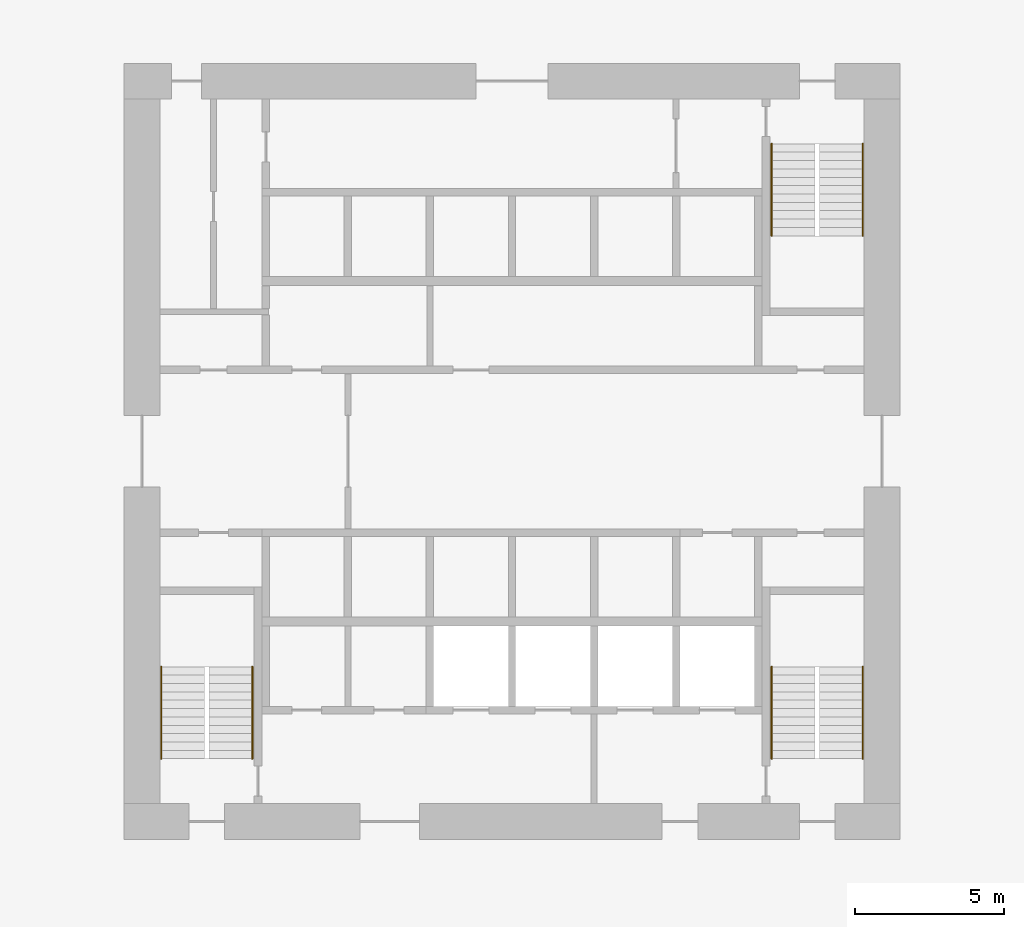
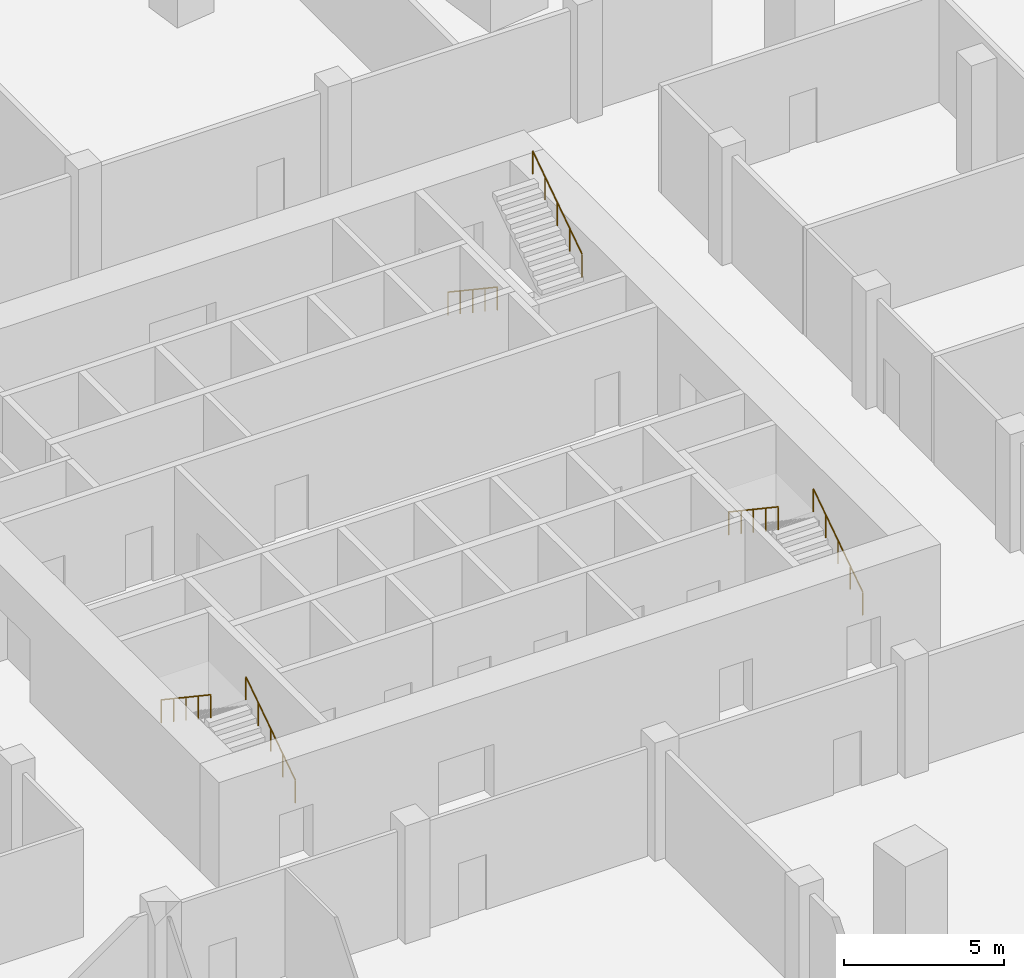
# One storey, part 8 of 11: 6 railings.
"""IFC4 building model written with IfcOpenShell, lengths in metres."""

from ifc_helpers import new_model, si_unit, direction, frame, origin, origin_2d, place, context, subcontext, project, spatial, circle, extrude, material, type_object, element, save


model = new_model("IFC4")

# Units and contexts
model_context = context("Model", 3, precision=1e-05, world=origin(), true_north=direction((0.0, 1.0)))
body_context = subcontext(model_context, "Body", "Model", "MODEL_VIEW")
ifc_project = project(units=[si_unit("LENGTHUNIT", "METRE"), si_unit("AREAUNIT", "SQUARE_METRE"), si_unit("VOLUMEUNIT", "CUBIC_METRE"), si_unit("PLANEANGLEUNIT", "RADIAN"), si_unit("MASSUNIT", "GRAM", prefix="KILO")], contexts=[model_context])

# Site, building, storey
site_placement = place(None, origin())
site = spatial("IfcSite", under=ifc_project, at=site_placement, CompositionType="ELEMENT")
building_placement = place(site_placement, origin())
building = spatial("IfcBuilding", under=site, at=building_placement, Name="Dilmun Exchange Tower", CompositionType="ELEMENT")
storey_placement = place(building_placement, frame((0.0, 0.0, -4.5)))
storey = spatial("IfcBuildingStorey", under=building, at=storey_placement, Name="B1", CompositionType="ELEMENT", Elevation=-4.5)

# Railings
ifc_material = material(Name="Stainless steel", Category="steel")
railing_type = type_object("IfcRailingType", Name="Stair handrail 900", PredefinedType="HANDRAIL", material=ifc_material)
railing_1_placement = place(storey_placement, frame((8.699951171875, 10.300048828125, 0.1875)))
element("IfcRailing", 1, at=railing_1_placement, inside=storey, type_object=railing_type, Name="B1 ST1 stair handrail 1", PredefinedType="HANDRAIL", context=body_context, shape_type="SweptSolid", body=[
    extrude(circle(Radius=0.02392578125, at=origin_2d()), frame((0.0, 0.0, 0.8759765625), z_axis=(0.0, -0.830913701846, 0.55640131208), x_axis=(1.0, 0.0, 0.0)), (0.0, 0.0, 1.0), 3.706787109375),
    extrude(circle(Radius=0.02099609375, at=origin_2d()), origin(), (0.0, 0.0, 1.0), 0.851806640625),
    extrude(circle(Radius=0.02099609375, at=origin_2d()), frame((0.0, -0.77001953125, 0.515625)), (0.0, 0.0, 1.0), 0.851806640625),
    extrude(circle(Radius=0.02099609375, at=origin_2d()), frame((0.0, -1.5400390625, 1.03125)), (0.0, 0.0, 1.0), 0.851806640625),
    extrude(circle(Radius=0.02099609375, at=origin_2d()), frame((0.0, -2.31005859375, 1.546875)), (0.0, 0.0, 1.0), 0.851806640625),
    extrude(circle(Radius=0.02099609375, at=origin_2d()), frame((0.0, -3.080078125, 2.0625)), (0.0, 0.0, 1.0), 0.851806640625),
])
for number, where, name in (
    (2, (11.75, 7.219970703125, 2.4375), "B1 ST1 stair handrail 2"),
    (3, (-8.699951171875, -10.300048828125, 0.1875), "B1 ST2 stair handrail 1"),
):
    element("IfcRailing", number, at=place(storey_placement, frame(where)), inside=storey, type_object=railing_type, Name=name, PredefinedType="HANDRAIL", context=body_context, shape_type="SweptSolid", body=[
        extrude(circle(Radius=0.02392578125, at=origin_2d()), frame((0.0, 0.0, 0.8759765625), z_axis=(0.0, 0.830913701846, 0.55640131208), x_axis=(-1.0, 0.0, 0.0)), (0.0, 0.0, 1.0), 3.706787109375),
        extrude(circle(Radius=0.02099609375, at=origin_2d()), origin(), (0.0, 0.0, 1.0), 0.851806640625),
        extrude(circle(Radius=0.02099609375, at=origin_2d()), frame((0.0, 0.77001953125, 0.515625)), (0.0, 0.0, 1.0), 0.851806640625),
        extrude(circle(Radius=0.02099609375, at=origin_2d()), frame((0.0, 1.5400390625, 1.03125)), (0.0, 0.0, 1.0), 0.851806640625),
        extrude(circle(Radius=0.02099609375, at=origin_2d()), frame((0.0, 2.31005859375, 1.546875)), (0.0, 0.0, 1.0), 0.851806640625),
        extrude(circle(Radius=0.02099609375, at=origin_2d()), frame((0.0, 3.080078125, 2.0625)), (0.0, 0.0, 1.0), 0.851806640625),
    ])
railing_2_placement = place(storey_placement, frame((-11.75, -7.219970703125, 2.4375)))
element("IfcRailing", 4, at=railing_2_placement, inside=storey, type_object=railing_type, Name="B1 ST2 stair handrail 2", PredefinedType="HANDRAIL", context=body_context, shape_type="SweptSolid", body=[
    extrude(circle(Radius=0.02392578125, at=origin_2d()), frame((0.0, 0.0, 0.8759765625), z_axis=(0.0, -0.830913701846, 0.55640131208), x_axis=(1.0, 0.0, 0.0)), (0.0, 0.0, 1.0), 3.706787109375),
    extrude(circle(Radius=0.02099609375, at=origin_2d()), origin(), (0.0, 0.0, 1.0), 0.851806640625),
    extrude(circle(Radius=0.02099609375, at=origin_2d()), frame((0.0, -0.77001953125, 0.515625)), (0.0, 0.0, 1.0), 0.851806640625),
    extrude(circle(Radius=0.02099609375, at=origin_2d()), frame((0.0, -1.5400390625, 1.03125)), (0.0, 0.0, 1.0), 0.851806640625),
    extrude(circle(Radius=0.02099609375, at=origin_2d()), frame((0.0, -2.31005859375, 1.546875)), (0.0, 0.0, 1.0), 0.851806640625),
    extrude(circle(Radius=0.02099609375, at=origin_2d()), frame((0.0, -3.080078125, 2.0625)), (0.0, 0.0, 1.0), 0.851806640625),
])
railing_3_placement = place(storey_placement, frame((11.75, -10.300048828125, 0.1875)))
element("IfcRailing", 5, at=railing_3_placement, inside=storey, type_object=railing_type, Name="B1 ST3 stair handrail 1", PredefinedType="HANDRAIL", context=body_context, shape_type="SweptSolid", body=[
    extrude(circle(Radius=0.02392578125, at=origin_2d()), frame((0.0, 0.0, 0.8759765625), z_axis=(0.0, 0.830913701846, 0.55640131208), x_axis=(-1.0, 0.0, 0.0)), (0.0, 0.0, 1.0), 3.706787109375),
    extrude(circle(Radius=0.02099609375, at=origin_2d()), origin(), (0.0, 0.0, 1.0), 0.851806640625),
    extrude(circle(Radius=0.02099609375, at=origin_2d()), frame((0.0, 0.77001953125, 0.515625)), (0.0, 0.0, 1.0), 0.851806640625),
    extrude(circle(Radius=0.02099609375, at=origin_2d()), frame((0.0, 1.5400390625, 1.03125)), (0.0, 0.0, 1.0), 0.851806640625),
    extrude(circle(Radius=0.02099609375, at=origin_2d()), frame((0.0, 2.31005859375, 1.546875)), (0.0, 0.0, 1.0), 0.851806640625),
    extrude(circle(Radius=0.02099609375, at=origin_2d()), frame((0.0, 3.080078125, 2.0625)), (0.0, 0.0, 1.0), 0.851806640625),
])
railing_4_placement = place(storey_placement, frame((8.699951171875, -7.219970703125, 2.4375)))
element("IfcRailing", 6, at=railing_4_placement, inside=storey, type_object=railing_type, Name="B1 ST3 stair handrail 2", PredefinedType="HANDRAIL", context=body_context, shape_type="SweptSolid", body=[
    extrude(circle(Radius=0.02392578125, at=origin_2d()), frame((0.0, 0.0, 0.8759765625), z_axis=(0.0, -0.830913701846, 0.55640131208), x_axis=(1.0, 0.0, 0.0)), (0.0, 0.0, 1.0), 3.706787109375),
    extrude(circle(Radius=0.02099609375, at=origin_2d()), origin(), (0.0, 0.0, 1.0), 0.851806640625),
    extrude(circle(Radius=0.02099609375, at=origin_2d()), frame((0.0, -0.77001953125, 0.515625)), (0.0, 0.0, 1.0), 0.851806640625),
    extrude(circle(Radius=0.02099609375, at=origin_2d()), frame((0.0, -1.5400390625, 1.03125)), (0.0, 0.0, 1.0), 0.851806640625),
    extrude(circle(Radius=0.02099609375, at=origin_2d()), frame((0.0, -2.31005859375, 1.546875)), (0.0, 0.0, 1.0), 0.851806640625),
    extrude(circle(Radius=0.02099609375, at=origin_2d()), frame((0.0, -3.080078125, 2.0625)), (0.0, 0.0, 1.0), 0.851806640625),
])

save(model, "model.ifc")
